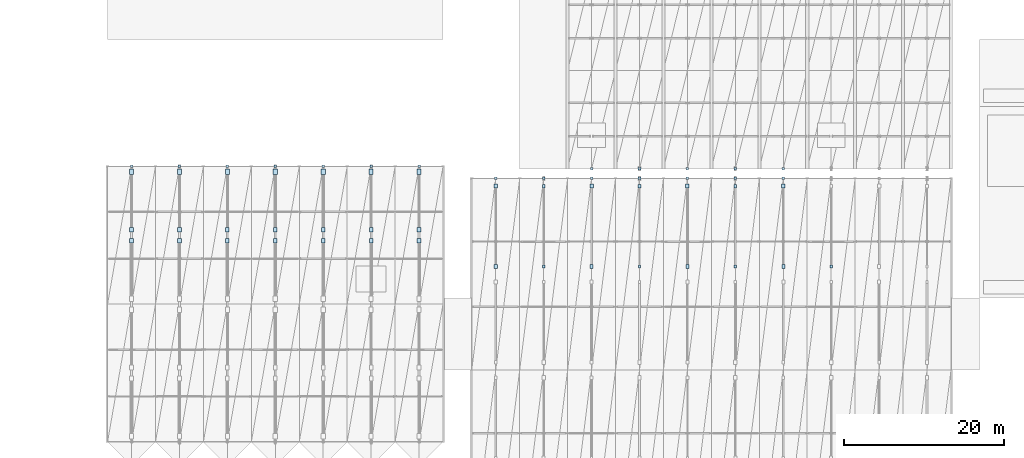
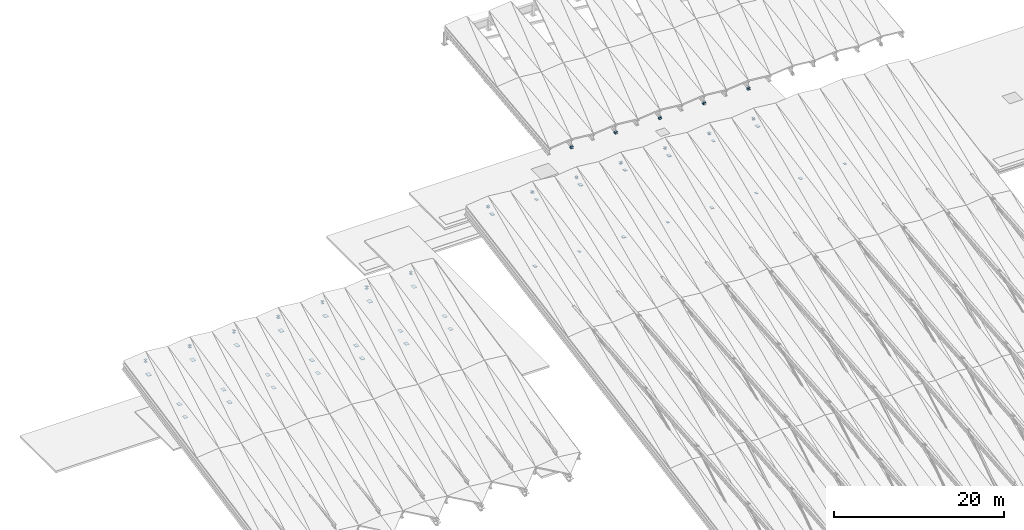
# One storey, part 27 of 52: 74 plates.
"""IFC4 building model written with IfcOpenShell, lengths in metres."""

from ifc_helpers import new_model, si_unit, direction, frame, origin, origin_2d, place, context, subcontext, project, spatial, rectangle, extrude, material, layer, layer_set, type_object, element, save


model = new_model("IFC4")

# Units and contexts
model_context = context("Model", 3, precision=1e-05, world=origin(), true_north=direction((0.0, 1.0)))
body_context = subcontext(model_context, "Body", "Model", "MODEL_VIEW")
ifc_project = project(units=[si_unit("LENGTHUNIT", "METRE"), si_unit("AREAUNIT", "SQUARE_METRE"), si_unit("VOLUMEUNIT", "CUBIC_METRE"), si_unit("PLANEANGLEUNIT", "RADIAN"), si_unit("MASSUNIT", "GRAM", prefix="KILO")], contexts=[model_context])

# Site, building, storey
site_placement = place(None, origin())
site = spatial("IfcSite", under=ifc_project, at=site_placement, CompositionType="ELEMENT")
building_placement = place(site_placement, origin())
building = spatial("IfcBuilding", under=site, at=building_placement, Name="Vaelkrest Opera House", CompositionType="ELEMENT")
storey_placement = place(building_placement, frame((0.0, 0.0, 41.39990234375)))
storey = spatial("IfcBuildingStorey", under=building, at=storey_placement, Name="ROOF", CompositionType="ELEMENT", Elevation=41.39990234375)

# Plates
ifc_material = material(Name="Steel A572 Gr50", Category="steel")
ifc_layer_1 = layer(ifc_material, 0.01806640625)
ifc_layer_set_1 = layer_set([ifc_layer_1], Name="Steel A572 Gr50")
plate_type_1 = type_object("IfcPlateType", Name="GP09", PredefinedType="USERDEFINED", material=ifc_layer_set_1)
for number, where, z_axis, x_axis, name in (
    (1, (-21.0, 5.159912109375, -6.370849609375), (0.0, 0.0, 1.0), (0.0, 1.0, 0.0), "Truss gusset plate KN-V1-03-6"),
    (2, (-9.0, 5.159912109375, -6.370849609375), (0.0, 0.0, 1.0), (0.0, 1.0, 0.0), "Truss gusset plate KN-V1-07-6"),
    (3, (3.0, 5.159912109375, -6.370849609375), (0.0, 0.0, 1.0), (0.0, 1.0, 0.0), "Truss gusset plate KN-V1-11-6"),
    (4, (15.0, 5.159912109375, -6.370849609375), (0.0, 0.0, 1.0), (0.0, 1.0, 0.0), "Truss gusset plate KN-V1-15-6"),
):
    element("IfcPlate", number, at=place(storey_placement, frame(where, z_axis=z_axis, x_axis=x_axis)), inside=storey, type_object=plate_type_1, Name=name, ObjectType="GUSSET PLATE", PredefinedType="USERDEFINED", context=body_context, shape_type="SweptSolid", body=[
        extrude(rectangle(XDim=0.3798828125, YDim=0.280029296875, at=origin_2d()), origin(), (0.0, 0.0, 1.0), 0.01806640625),
    ])
ifc_layer_2 = layer(ifc_material, 0.02197265625)
ifc_layer_set_2 = layer_set([ifc_layer_2], Name="Steel A572 Gr50")
plate_type_2 = type_object("IfcPlateType", Name="GP10", PredefinedType="USERDEFINED", material=ifc_layer_set_2)
for number, where, z_axis, x_axis, name in (
    (5, (-21.0, 15.239990234375, -5.0029296875), (0.0, 0.0, 1.0), (0.0, 1.0, 0.0), "Truss bottom chord gusset plate KN-V1-03-6B"),
    (6, (-9.0, 15.239990234375, -5.0029296875), (0.0, 0.0, 1.0), (0.0, 1.0, 0.0), "Truss bottom chord gusset plate KN-V1-07-6B"),
    (7, (3.0, 15.239990234375, -5.0029296875), (0.0, 0.0, 1.0), (0.0, 1.0, 0.0), "Truss bottom chord gusset plate KN-V1-11-6B"),
):
    element("IfcPlate", number, at=place(storey_placement, frame(where, z_axis=z_axis, x_axis=x_axis)), inside=storey, type_object=plate_type_2, Name=name, ObjectType="GUSSET PLATE", PredefinedType="USERDEFINED", context=body_context, shape_type="SweptSolid", body=[
        extrude(rectangle(XDim=0.43994140625, YDim=0.340087890625, at=origin_2d()), origin(), (0.0, 0.0, 1.0), 0.02197265625),
    ])
ifc_layer_3 = layer(ifc_material, 0.02587890625)
ifc_layer_set_3 = layer_set([ifc_layer_3], Name="Steel A572 Gr50")
plate_type_3 = type_object("IfcPlateType", Name="GP11", PredefinedType="USERDEFINED", material=ifc_layer_set_3)
for number, where, z_axis, x_axis, name in (
    (8, (-27.0, 5.159912109375, -6.374755859375), (0.0, 0.0, 1.0), (0.0, 1.0, 0.0), "Truss gusset plate KN-V1-01-6"),
    (9, (-15.0, 5.159912109375, -6.374755859375), (0.0, 0.0, 1.0), (0.0, 1.0, 0.0), "Truss gusset plate KN-V1-05-6"),
    (10, (-3.0, 5.159912109375, -6.374755859375), (0.0, 0.0, 1.0), (0.0, 1.0, 0.0), "Truss gusset plate KN-V1-09-6"),
    (11, (9.0, 5.159912109375, -6.374755859375), (0.0, 0.0, 1.0), (0.0, 1.0, 0.0), "Truss gusset plate KN-V1-13-6"),
):
    element("IfcPlate", number, at=place(storey_placement, frame(where, z_axis=z_axis, x_axis=x_axis)), inside=storey, type_object=plate_type_3, Name=name, ObjectType="GUSSET PLATE", PredefinedType="USERDEFINED", context=body_context, shape_type="SweptSolid", body=[
        extrude(rectangle(XDim=0.5, YDim=0.3798828125, at=origin_2d()), origin(), (0.0, 0.0, 1.0), 0.02587890625),
    ])
ifc_layer_4 = layer(ifc_material, 0.030029296875)
ifc_layer_set_4 = layer_set([ifc_layer_4], Name="Steel A572 Gr50")
plate_type_4 = type_object("IfcPlateType", Name="GP12", PredefinedType="USERDEFINED", material=ifc_layer_set_4)
for number, where, z_axis, x_axis, name in (
    (12, (-27.0, 15.239990234375, -5.0068359375), (0.0, 0.0, 1.0), (0.0, 1.0, 0.0), "Truss bottom chord gusset plate KN-V1-01-6B"),
    (13, (-15.0, 15.239990234375, -5.0068359375), (0.0, 0.0, 1.0), (0.0, 1.0, 0.0), "Truss bottom chord gusset plate KN-V1-05-6B"),
    (14, (-3.0, 15.239990234375, -5.0068359375), (0.0, 0.0, 1.0), (0.0, 1.0, 0.0), "Truss bottom chord gusset plate KN-V1-09-6B"),
    (15, (9.0, 15.239990234375, -5.0068359375), (0.0, 0.0, 1.0), (0.0, 1.0, 0.0), "Truss bottom chord gusset plate KN-V1-13-6B"),
):
    element("IfcPlate", number, at=place(storey_placement, frame(where, z_axis=z_axis, x_axis=x_axis)), inside=storey, type_object=plate_type_4, Name=name, ObjectType="GUSSET PLATE", PredefinedType="USERDEFINED", context=body_context, shape_type="SweptSolid", body=[
        extrude(rectangle(XDim=0.56005859375, YDim=0.419921875, at=origin_2d()), origin(), (0.0, 0.0, 1.0), 0.030029296875),
    ])
ifc_layer_5 = layer(ifc_material, 0.033935546875)
ifc_layer_set_5 = layer_set([ifc_layer_5], Name="Steel A572 Gr50")
plate_type_5 = type_object("IfcPlateType", Name="GP13", PredefinedType="USERDEFINED", material=ifc_layer_set_5)
for number, where, z_axis, x_axis, name in (
    (16, (-72.60009765625, 8.385009765625, -13.98779296875), (0.0, 0.0, 1.0), (0.0, 1.0, 0.0), "Truss bottom chord gusset plate KN-V3-01-3B"),
    (17, (-72.60009765625, 9.764892578125, -12.99609375), (0.0, 0.0, 1.0), (0.0, 1.0, 0.0), "Truss gusset plate KN-V3-01-4"),
    (18, (-66.60009765625, 8.385009765625, -13.98779296875), (0.0, 0.0, 1.0), (0.0, 1.0, 0.0), "Truss bottom chord gusset plate KN-V3-03-3B"),
    (19, (-66.60009765625, 9.764892578125, -12.99609375), (0.0, 0.0, 1.0), (0.0, 1.0, 0.0), "Truss gusset plate KN-V3-03-4"),
    (20, (-60.60009765625, 8.385009765625, -13.98779296875), (0.0, 0.0, 1.0), (0.0, 1.0, 0.0), "Truss bottom chord gusset plate KN-V3-05-3B"),
    (21, (-60.60009765625, 9.764892578125, -12.99609375), (0.0, 0.0, 1.0), (0.0, 1.0, 0.0), "Truss gusset plate KN-V3-05-4"),
    (22, (-54.60009765625, 8.385009765625, -13.98779296875), (0.0, 0.0, 1.0), (0.0, 1.0, 0.0), "Truss bottom chord gusset plate KN-V3-07-3B"),
    (23, (-54.60009765625, 9.764892578125, -12.99609375), (0.0, 0.0, 1.0), (0.0, 1.0, 0.0), "Truss gusset plate KN-V3-07-4"),
    (24, (-48.60009765625, 8.385009765625, -13.98779296875), (0.0, 0.0, 1.0), (0.0, 1.0, 0.0), "Truss bottom chord gusset plate KN-V3-09-3B"),
    (25, (-48.60009765625, 9.764892578125, -12.99609375), (0.0, 0.0, 1.0), (0.0, 1.0, 0.0), "Truss gusset plate KN-V3-09-4"),
    (26, (-42.60009765625, 8.385009765625, -13.98779296875), (0.0, 0.0, 1.0), (0.0, 1.0, 0.0), "Truss bottom chord gusset plate KN-V3-11-3B"),
    (27, (-42.60009765625, 9.764892578125, -12.99609375), (0.0, 0.0, 1.0), (0.0, 1.0, 0.0), "Truss gusset plate KN-V3-11-4"),
    (28, (-36.60009765625, 8.385009765625, -13.98779296875), (0.0, 0.0, 1.0), (0.0, 1.0, 0.0), "Truss bottom chord gusset plate KN-V3-13-3B"),
    (29, (-36.60009765625, 9.764892578125, -12.99609375), (0.0, 0.0, 1.0), (0.0, 1.0, 0.0), "Truss gusset plate KN-V3-13-4"),
):
    element("IfcPlate", number, at=place(storey_placement, frame(where, z_axis=z_axis, x_axis=x_axis)), inside=storey, type_object=plate_type_5, Name=name, ObjectType="GUSSET PLATE", PredefinedType="USERDEFINED", context=body_context, shape_type="SweptSolid", body=[
        extrude(rectangle(XDim=0.6201171875, YDim=0.4599609375, at=origin_2d()), origin(), (0.0, 0.0, 1.0), 0.033935546875),
    ])
ifc_layer_6 = layer(ifc_material, 0.0380859375)
ifc_layer_set_6 = layer_set([ifc_layer_6], Name="Steel A572 Gr50")
plate_type_6 = type_object("IfcPlateType", Name="GP14", PredefinedType="USERDEFINED", material=ifc_layer_set_6)
for number, where, z_axis, x_axis, name in (
    (30, (-72.60009765625, 17.010009765625, -13.14892578125), (0.0, 0.0, 1.0), (0.0, 1.0, 0.0), "Truss bottom chord gusset plate KN-V3-01-4B"),
    (31, (-66.60009765625, 17.010009765625, -13.14892578125), (0.0, 0.0, 1.0), (0.0, 1.0, 0.0), "Truss bottom chord gusset plate KN-V3-03-4B"),
    (32, (-60.60009765625, 17.010009765625, -13.14892578125), (0.0, 0.0, 1.0), (0.0, 1.0, 0.0), "Truss bottom chord gusset plate KN-V3-05-4B"),
    (33, (-54.60009765625, 17.010009765625, -13.14892578125), (0.0, 0.0, 1.0), (0.0, 1.0, 0.0), "Truss bottom chord gusset plate KN-V3-07-4B"),
    (34, (-48.60009765625, 17.010009765625, -13.14892578125), (0.0, 0.0, 1.0), (0.0, 1.0, 0.0), "Truss bottom chord gusset plate KN-V3-09-4B"),
    (35, (-42.60009765625, 17.010009765625, -13.14892578125), (0.0, 0.0, 1.0), (0.0, 1.0, 0.0), "Truss bottom chord gusset plate KN-V3-11-4B"),
    (36, (-36.60009765625, 17.010009765625, -13.14892578125), (0.0, 0.0, 1.0), (0.0, 1.0, 0.0), "Truss bottom chord gusset plate KN-V3-13-4B"),
):
    element("IfcPlate", number, at=place(storey_placement, frame(where, z_axis=z_axis, x_axis=x_axis)), inside=storey, type_object=plate_type_6, Name=name, ObjectType="GUSSET PLATE", PredefinedType="USERDEFINED", context=body_context, shape_type="SweptSolid", body=[
        extrude(rectangle(XDim=0.679931640625, YDim=0.52001953125, at=origin_2d()), origin(), (0.0, 0.0, 1.0), 0.0380859375),
    ])
ifc_layer_7 = layer(ifc_material, 0.01611328125)
ifc_layer_set_7 = layer_set([ifc_layer_7], Name="Steel A572 Gr50")
plate_type_7 = type_object("IfcPlateType", Name="GP15", PredefinedType="USERDEFINED", material=ifc_layer_set_7)
for number, where, z_axis, x_axis, name in (
    (37, (-27.0, 16.199951171875, -4.634033203125), (0.0, 0.0, 1.0), (1.0, 0.0, 0.0), "Saddle post end plate V1-N-01-B"),
    (38, (-27.0, 16.199951171875, -4.39599609375), (0.0, 0.0, 1.0), (1.0, 0.0, 0.0), "Saddle post end plate V1-N-01-T"),
    (39, (-21.0, 16.199951171875, -4.634033203125), (0.0, 0.0, 1.0), (1.0, 0.0, 0.0), "Saddle post end plate V1-N-03-B"),
    (40, (-21.0, 16.199951171875, -4.39599609375), (0.0, 0.0, 1.0), (1.0, 0.0, 0.0), "Saddle post end plate V1-N-03-T"),
    (41, (-15.0, 16.199951171875, -4.634033203125), (0.0, 0.0, 1.0), (1.0, 0.0, 0.0), "Saddle post end plate V1-N-05-B"),
    (42, (-15.0, 16.199951171875, -4.39599609375), (0.0, 0.0, 1.0), (1.0, 0.0, 0.0), "Saddle post end plate V1-N-05-T"),
    (43, (-9.0, 16.199951171875, -4.634033203125), (0.0, 0.0, 1.0), (1.0, 0.0, 0.0), "Saddle post end plate V1-N-07-B"),
    (44, (-9.0, 16.199951171875, -4.39599609375), (0.0, 0.0, 1.0), (1.0, 0.0, 0.0), "Saddle post end plate V1-N-07-T"),
    (45, (-3.0, 16.199951171875, -4.634033203125), (0.0, 0.0, 1.0), (1.0, 0.0, 0.0), "Saddle post end plate V1-N-09-B"),
    (46, (-3.0, 16.199951171875, -4.39599609375), (0.0, 0.0, 1.0), (1.0, 0.0, 0.0), "Saddle post end plate V1-N-09-T"),
    (47, (3.0, 16.199951171875, -4.634033203125), (0.0, 0.0, 1.0), (1.0, 0.0, 0.0), "Saddle post end plate V1-N-11-B"),
    (48, (3.0, 16.199951171875, -4.39599609375), (0.0, 0.0, 1.0), (1.0, 0.0, 0.0), "Saddle post end plate V1-N-11-T"),
    (49, (9.0, 16.199951171875, -4.634033203125), (0.0, 0.0, 1.0), (1.0, 0.0, 0.0), "Saddle post end plate V1-N-13-B"),
    (50, (9.0, 16.199951171875, -4.39599609375), (0.0, 0.0, 1.0), (1.0, 0.0, 0.0), "Saddle post end plate V1-N-13-T"),
    (51, (-72.60009765625, 17.699951171875, -11.718994140625), (0.0, 0.0, 1.0), (1.0, 0.0, 0.0), "Saddle post end plate V3-N-01-B"),
    (52, (-72.60009765625, 17.699951171875, -11.406005859375), (0.0, 0.0, 1.0), (1.0, 0.0, 0.0), "Saddle post end plate V3-N-01-T"),
    (53, (-66.60009765625, 17.699951171875, -11.718994140625), (0.0, 0.0, 1.0), (1.0, 0.0, 0.0), "Saddle post end plate V3-N-03-B"),
    (54, (-66.60009765625, 17.699951171875, -11.406005859375), (0.0, 0.0, 1.0), (1.0, 0.0, 0.0), "Saddle post end plate V3-N-03-T"),
    (55, (-60.60009765625, 17.699951171875, -11.718994140625), (0.0, 0.0, 1.0), (1.0, 0.0, 0.0), "Saddle post end plate V3-N-05-B"),
    (56, (-60.60009765625, 17.699951171875, -11.406005859375), (0.0, 0.0, 1.0), (1.0, 0.0, 0.0), "Saddle post end plate V3-N-05-T"),
    (57, (-54.60009765625, 17.699951171875, -11.718994140625), (0.0, 0.0, 1.0), (1.0, 0.0, 0.0), "Saddle post end plate V3-N-07-B"),
    (58, (-54.60009765625, 17.699951171875, -11.406005859375), (0.0, 0.0, 1.0), (1.0, 0.0, 0.0), "Saddle post end plate V3-N-07-T"),
    (59, (-48.60009765625, 17.699951171875, -11.718994140625), (0.0, 0.0, 1.0), (1.0, 0.0, 0.0), "Saddle post end plate V3-N-09-B"),
    (60, (-48.60009765625, 17.699951171875, -11.406005859375), (0.0, 0.0, 1.0), (1.0, 0.0, 0.0), "Saddle post end plate V3-N-09-T"),
    (61, (-42.60009765625, 17.699951171875, -11.718994140625), (0.0, 0.0, 1.0), (1.0, 0.0, 0.0), "Saddle post end plate V3-N-11-B"),
    (62, (-42.60009765625, 17.699951171875, -11.406005859375), (0.0, 0.0, 1.0), (1.0, 0.0, 0.0), "Saddle post end plate V3-N-11-T"),
    (63, (-36.60009765625, 17.699951171875, -11.718994140625), (0.0, 0.0, 1.0), (1.0, 0.0, 0.0), "Saddle post end plate V3-N-13-B"),
    (64, (-36.60009765625, 17.699951171875, -11.406005859375), (0.0, 0.0, 1.0), (1.0, 0.0, 0.0), "Saddle post end plate V3-N-13-T"),
    (65, (-15.0, 17.39990234375, -1.02294921875), (0.0, 0.0, 1.0), (1.0, 0.0, 0.0), "Saddle post end plate V2-S-01-B"),
    (66, (-15.0, 17.39990234375, -0.794921875), (0.0, 0.0, 1.0), (1.0, 0.0, 0.0), "Saddle post end plate V2-S-01-T"),
    (67, (-9.0, 17.39990234375, -1.02294921875), (0.0, 0.0, 1.0), (1.0, 0.0, 0.0), "Saddle post end plate V2-S-03-B"),
    (68, (-9.0, 17.39990234375, -0.794921875), (0.0, 0.0, 1.0), (1.0, 0.0, 0.0), "Saddle post end plate V2-S-03-T"),
    (69, (-3.0, 17.39990234375, -1.02294921875), (0.0, 0.0, 1.0), (1.0, 0.0, 0.0), "Saddle post end plate V2-S-05-B"),
    (70, (-3.0, 17.39990234375, -0.794921875), (0.0, 0.0, 1.0), (1.0, 0.0, 0.0), "Saddle post end plate V2-S-05-T"),
    (71, (3.0, 17.39990234375, -1.02294921875), (0.0, 0.0, 1.0), (1.0, 0.0, 0.0), "Saddle post end plate V2-S-07-B"),
    (72, (3.0, 17.39990234375, -0.794921875), (0.0, 0.0, 1.0), (1.0, 0.0, 0.0), "Saddle post end plate V2-S-07-T"),
    (73, (9.0, 17.39990234375, -1.02294921875), (0.0, 0.0, 1.0), (1.0, 0.0, 0.0), "Saddle post end plate V2-S-09-B"),
    (74, (9.0, 17.39990234375, -0.794921875), (0.0, 0.0, 1.0), (1.0, 0.0, 0.0), "Saddle post end plate V2-S-09-T"),
):
    element("IfcPlate", number, at=place(storey_placement, frame(where, z_axis=z_axis, x_axis=x_axis)), inside=storey, type_object=plate_type_7, Name=name, ObjectType="GUSSET PLATE", PredefinedType="USERDEFINED", context=body_context, shape_type="SweptSolid", body=[
        extrude(rectangle(XDim=0.320068359375, YDim=0.320068359375, at=origin_2d()), origin(), (0.0, 0.0, 1.0), 0.01611328125),
    ])

save(model, "model.ifc")
